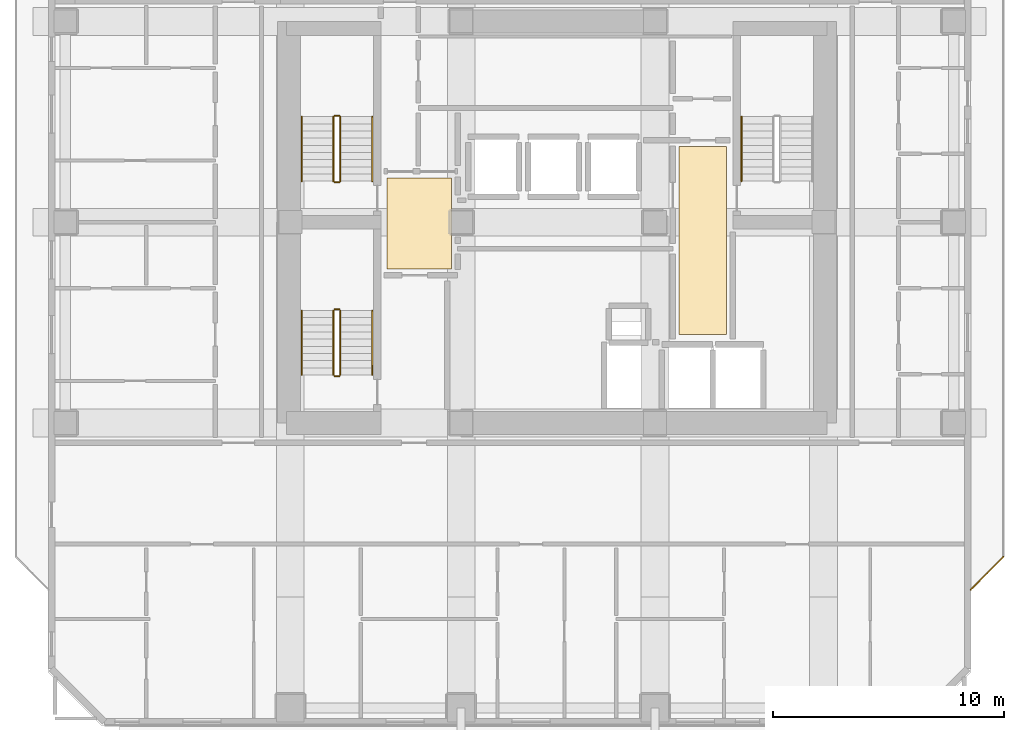
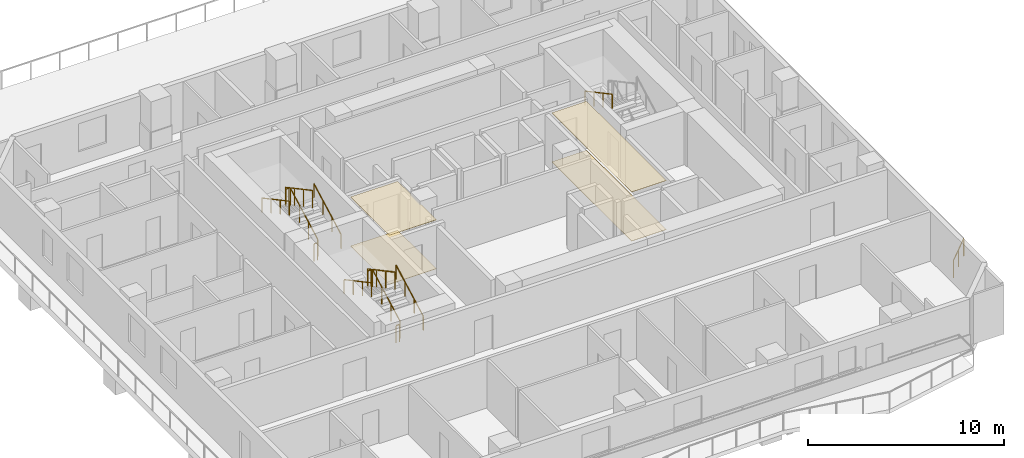
# One storey, part 9 of 11: 14 railings, 4 coverings.
"""IFC4 building model written with IfcOpenShell, lengths in metres."""

from ifc_helpers import new_model, si_unit, direction, frame, origin, origin_2d, place, context, subcontext, project, spatial, polyline, rectangle, outline, extrude, material, layer, layer_set, type_object, element, save


model = new_model("IFC4")

# Units and contexts
model_context = context("Model", 3, precision=1e-05, world=origin(), true_north=direction((0.0, 1.0)))
body_context = subcontext(model_context, "Body", "Model", "MODEL_VIEW")
ifc_project = project(units=[si_unit("LENGTHUNIT", "METRE"), si_unit("AREAUNIT", "SQUARE_METRE"), si_unit("VOLUMEUNIT", "CUBIC_METRE"), si_unit("PLANEANGLEUNIT", "RADIAN"), si_unit("MASSUNIT", "GRAM", prefix="KILO")], contexts=[model_context])

# Site, building, storey
site_placement = place(None, origin())
site = spatial("IfcSite", under=ifc_project, at=site_placement, CompositionType="ELEMENT")
building_placement = place(site_placement, origin())
building = spatial("IfcBuilding", under=site, at=building_placement, Name="Solanera Arch Residences", CompositionType="ELEMENT")
storey_placement = place(building_placement, frame((0.0, 0.0, 106.080078125)))
storey = spatial("IfcBuildingStorey", under=building, at=storey_placement, Name="L30", CompositionType="ELEMENT", Elevation=106.080078125)

# Railing
ifc_material_1 = material(Name="Steel S355 (ASTM A992 / A572 Grade 50)", Category="steel")
railing_type_1 = type_object("IfcRailingType", Name="Balustrade Railing BL-1100", PredefinedType="BALUSTRADE", material=ifc_material_1)
railing_1_placement = place(storey_placement, frame((42.8798828125, 14.780029296875, 0.0)))
element("IfcRailing", 1, at=railing_1_placement, inside=storey, type_object=railing_type_1, Name="L30 Sky Terrace Guardrail 1", PredefinedType="BALUSTRADE", context=body_context, shape_type="SweptSolid", body=[
    extrude(rectangle(XDim=0.048095703125, YDim=0.048095703125, at=origin_2d()), frame((0.0, 0.0, 1.09619140625), z_axis=(0.707167563133, 0.707045994015, 0.0), x_axis=(-0.707045994015, 0.707167563133, 0.0)), (0.0, 0.0, 1.0), 2.00830078125),
    extrude(rectangle(XDim=0.0419921875, YDim=0.0419921875, at=origin_2d()), origin(), (0.0, 0.0, 1.0), 1.072021484375),
    extrude(rectangle(XDim=0.0419921875, YDim=0.0419921875, at=origin_2d()), frame((0.7099609375, 0.7099609375, 0.0)), (0.0, 0.0, 1.0), 1.072021484375),
    extrude(rectangle(XDim=0.0419921875, YDim=0.0419921875, at=origin_2d()), frame((1.420166015625, 1.419921875, 0.0)), (0.0, 0.0, 1.0), 1.072021484375),
])

# Coverings
ifc_material_2 = material(Name="Porcelain Acoustic Floor Tile", Category="ceramic")
ifc_layer_1 = layer(ifc_material_2, 0.02001953125)
ifc_layer_set_1 = layer_set([ifc_layer_1], Name="Porcelain Acoustic Floor Tile")
covering_type_1 = type_object("IfcCoveringType", Name="Porcelain Acoustic Floor Finish FLR-20", PredefinedType="FLOORING", material=ifc_layer_set_1)
covering_1_placement = place(storey_placement, origin())
element("IfcCovering", 2, at=covering_1_placement, inside=storey, type_object=covering_type_1, Name="L30-FFL-W Porcelain Floor Finish", PredefinedType="FLOORING", context=body_context, shape_type="SweptSolid", body=[
    extrude(outline(polyline([(20.375, 28.675048828125), (17.594970703125, 28.675048828125), (17.594970703125, 32.625), (20.375, 32.625), (20.375, 28.675048828125)])), origin(), (0.0, 0.0, 1.0), 0.02001953125),
])
covering_2_placement = place(storey_placement, origin())
element("IfcCovering", 3, at=covering_2_placement, inside=storey, type_object=covering_type_1, Name="L30-FFL-E Porcelain Floor Finish", PredefinedType="FLOORING", context=body_context, shape_type="SweptSolid", body=[
    extrude(outline(polyline([(32.304931640625, 25.824951171875), (30.25, 25.824951171875), (30.25, 33.97509765625), (32.304931640625, 33.97509765625), (32.304931640625, 25.824951171875)])), origin(), (0.0, 0.0, 1.0), 0.02001953125),
])

# Railings
ifc_material_3 = material(Name="Steel S355 (ASTM A992 / A572 Grade 50)", Category="steel")
railing_type_2 = type_object("IfcRailingType", Name="Stair Guardrail GR-1100", PredefinedType="GUARDRAIL", material=ifc_material_3)
railing_2_placement = place(storey_placement, frame((15.570068359375, 32.47998046875, 0.15087890625)))
element("IfcRailing", 4, at=railing_2_placement, inside=storey, type_object=railing_type_2, Name="L30 ST-T1 stair guard 1", PredefinedType="GUARDRAIL", context=body_context, shape_type="SweptSolid", body=[
    extrude(rectangle(XDim=0.048095703125, YDim=0.048095703125, at=origin_2d()), frame((0.0, 0.0, 1.076171875), z_axis=(0.0, 0.881548766853, 0.472092969298), x_axis=(-1.0, 0.0, 0.0)), (0.0, 0.0, 1.0), 3.1650390625),
    extrude(rectangle(XDim=0.0419921875, YDim=0.0419921875, at=origin_2d()), origin(), (0.0, 0.0, 1.0), 1.052001953125),
    extrude(rectangle(XDim=0.0419921875, YDim=0.0419921875, at=origin_2d()), frame((0.0, 0.929931640625, 0.498046875)), (0.0, 0.0, 1.0), 1.052001953125),
    extrude(rectangle(XDim=0.0419921875, YDim=0.0419921875, at=origin_2d()), frame((0.0, 1.860107421875, 0.99609375)), (0.0, 0.0, 1.0), 1.052001953125),
    extrude(rectangle(XDim=0.0419921875, YDim=0.0419921875, at=origin_2d()), frame((0.0, 2.7900390625, 1.494140625)), (0.0, 0.0, 1.0), 1.052001953125),
])
railing_3_placement = place(storey_placement, frame((15.52001953125, 35.320068359375, 1.64501953125)))
element("IfcRailing", 5, at=railing_3_placement, inside=storey, type_object=railing_type_2, Name="L30 ST-T1 stair guard 2", PredefinedType="GUARDRAIL", context=body_context, shape_type="SweptSolid", body=[
    extrude(rectangle(XDim=0.048095703125, YDim=0.048095703125, at=origin_2d()), frame((0.0, 0.0, 1.076171875), z_axis=(-1.0, 0.0, 0.0), x_axis=(0.0, -1.0, 0.0)), (0.0, 0.0, 1.0), 0.199951171875),
    extrude(rectangle(XDim=0.0419921875, YDim=0.0419921875, at=origin_2d()), origin(), (0.0, 0.0, 1.0), 1.052001953125),
    extrude(rectangle(XDim=0.0419921875, YDim=0.0419921875, at=origin_2d()), frame((-0.199951171875, 0.0, 0.0)), (0.0, 0.0, 1.0), 1.052001953125),
])
railing_4_placement = place(storey_placement, frame((15.27001953125, 35.27001953125, 1.81103515625)))
element("IfcRailing", 6, at=railing_4_placement, inside=storey, type_object=railing_type_2, Name="L30 ST-T1 stair guard 3", PredefinedType="GUARDRAIL", context=body_context, shape_type="SweptSolid", body=[
    extrude(rectangle(XDim=0.048095703125, YDim=0.048095703125, at=origin_2d()), frame((0.0, 0.0, 1.076171875), z_axis=(0.0, -0.881580869306, 0.472033018838), x_axis=(1.0, 0.0, 0.0)), (0.0, 0.0, 1.0), 3.164794921875),
    extrude(rectangle(XDim=0.0419921875, YDim=0.0419921875, at=origin_2d()), origin(), (0.0, 0.0, 1.0), 1.052001953125),
    extrude(rectangle(XDim=0.0419921875, YDim=0.0419921875, at=origin_2d()), frame((0.0, -0.929931640625, 0.498046875)), (0.0, 0.0, 1.0), 1.052001953125),
    extrude(rectangle(XDim=0.0419921875, YDim=0.0419921875, at=origin_2d()), frame((0.0, -1.860107421875, 0.995849609375)), (0.0, 0.0, 1.0), 1.052001953125),
    extrude(rectangle(XDim=0.0419921875, YDim=0.0419921875, at=origin_2d()), frame((0.0, -2.7900390625, 1.493896484375)), (0.0, 0.0, 1.0), 1.052001953125),
])
railing_5_placement = place(storey_placement, frame((15.52001953125, 32.429931640625, -0.01513671875)))
element("IfcRailing", 7, at=railing_5_placement, inside=storey, type_object=railing_type_2, Name="L30 ST-T1 stair guard 4", PredefinedType="GUARDRAIL", context=body_context, shape_type="SweptSolid", body=[
    extrude(rectangle(XDim=0.048095703125, YDim=0.048095703125, at=origin_2d()), frame((0.0, 0.0, 1.076171875), z_axis=(-1.0, 0.0, 0.0), x_axis=(0.0, -1.0, 0.0)), (0.0, 0.0, 1.0), 0.199951171875),
    extrude(rectangle(XDim=0.0419921875, YDim=0.0419921875, at=origin_2d()), origin(), (0.0, 0.0, 1.0), 1.052001953125),
    extrude(rectangle(XDim=0.0419921875, YDim=0.0419921875, at=origin_2d()), frame((-0.199951171875, 0.0, 0.0)), (0.0, 0.0, 1.0), 1.052001953125),
])
railing_6_placement = place(storey_placement, frame((15.570068359375, 24.080078125, 0.15087890625)))
element("IfcRailing", 8, at=railing_6_placement, inside=storey, type_object=railing_type_2, Name="L30 ST-T3 stair guard 1", PredefinedType="GUARDRAIL", context=body_context, shape_type="SweptSolid", body=[
    extrude(rectangle(XDim=0.048095703125, YDim=0.048095703125, at=origin_2d()), frame((0.0, 0.0, 1.076171875), z_axis=(0.0, 0.881548766853, 0.472092969298), x_axis=(-1.0, 0.0, 0.0)), (0.0, 0.0, 1.0), 3.1650390625),
    extrude(rectangle(XDim=0.0419921875, YDim=0.0419921875, at=origin_2d()), origin(), (0.0, 0.0, 1.0), 1.052001953125),
    extrude(rectangle(XDim=0.0419921875, YDim=0.0419921875, at=origin_2d()), frame((0.0, 0.929931640625, 0.498046875)), (0.0, 0.0, 1.0), 1.052001953125),
    extrude(rectangle(XDim=0.0419921875, YDim=0.0419921875, at=origin_2d()), frame((0.0, 1.860107421875, 0.99609375)), (0.0, 0.0, 1.0), 1.052001953125),
    extrude(rectangle(XDim=0.0419921875, YDim=0.0419921875, at=origin_2d()), frame((0.0, 2.7900390625, 1.494140625)), (0.0, 0.0, 1.0), 1.052001953125),
])
railing_7_placement = place(storey_placement, frame((15.52001953125, 26.919921875, 1.64501953125)))
element("IfcRailing", 9, at=railing_7_placement, inside=storey, type_object=railing_type_2, Name="L30 ST-T3 stair guard 2", PredefinedType="GUARDRAIL", context=body_context, shape_type="SweptSolid", body=[
    extrude(rectangle(XDim=0.048095703125, YDim=0.048095703125, at=origin_2d()), frame((0.0, 0.0, 1.076171875), z_axis=(-1.0, 0.0, 0.0), x_axis=(0.0, -1.0, 0.0)), (0.0, 0.0, 1.0), 0.199951171875),
    extrude(rectangle(XDim=0.0419921875, YDim=0.0419921875, at=origin_2d()), origin(), (0.0, 0.0, 1.0), 1.052001953125),
    extrude(rectangle(XDim=0.0419921875, YDim=0.0419921875, at=origin_2d()), frame((-0.199951171875, 0.0, 0.0)), (0.0, 0.0, 1.0), 1.052001953125),
])
railing_8_placement = place(storey_placement, frame((15.27001953125, 26.8701171875, 1.81103515625)))
element("IfcRailing", 10, at=railing_8_placement, inside=storey, type_object=railing_type_2, Name="L30 ST-T3 stair guard 3", PredefinedType="GUARDRAIL", context=body_context, shape_type="SweptSolid", body=[
    extrude(rectangle(XDim=0.048095703125, YDim=0.048095703125, at=origin_2d()), frame((0.0, 0.0, 1.076171875), z_axis=(0.0, -0.881580869306, 0.472033018838), x_axis=(1.0, 0.0, 0.0)), (0.0, 0.0, 1.0), 3.164794921875),
    extrude(rectangle(XDim=0.0419921875, YDim=0.0419921875, at=origin_2d()), origin(), (0.0, 0.0, 1.0), 1.052001953125),
    extrude(rectangle(XDim=0.0419921875, YDim=0.0419921875, at=origin_2d()), frame((0.0, -0.929931640625, 0.498046875)), (0.0, 0.0, 1.0), 1.052001953125),
    extrude(rectangle(XDim=0.0419921875, YDim=0.0419921875, at=origin_2d()), frame((0.0, -1.860107421875, 0.995849609375)), (0.0, 0.0, 1.0), 1.052001953125),
    extrude(rectangle(XDim=0.0419921875, YDim=0.0419921875, at=origin_2d()), frame((0.0, -2.7900390625, 1.493896484375)), (0.0, 0.0, 1.0), 1.052001953125),
])
railing_9_placement = place(storey_placement, frame((15.52001953125, 24.030029296875, -0.01513671875)))
element("IfcRailing", 11, at=railing_9_placement, inside=storey, type_object=railing_type_2, Name="L30 ST-T3 stair guard 4", PredefinedType="GUARDRAIL", context=body_context, shape_type="SweptSolid", body=[
    extrude(rectangle(XDim=0.048095703125, YDim=0.048095703125, at=origin_2d()), frame((0.0, 0.0, 1.076171875), z_axis=(-1.0, 0.0, 0.0), x_axis=(0.0, -1.0, 0.0)), (0.0, 0.0, 1.0), 0.199951171875),
    extrude(rectangle(XDim=0.0419921875, YDim=0.0419921875, at=origin_2d()), origin(), (0.0, 0.0, 1.0), 1.052001953125),
    extrude(rectangle(XDim=0.0419921875, YDim=0.0419921875, at=origin_2d()), frame((-0.199951171875, 0.0, 0.0)), (0.0, 0.0, 1.0), 1.052001953125),
])
ifc_material_4 = material(Name="Steel S355 (ASTM A992 / A572 Grade 50)", Category="steel")
railing_type_3 = type_object("IfcRailingType", Name="Stair Wall Handrail HR-920", PredefinedType="HANDRAIL", material=ifc_material_4)
railing_10_placement = place(storey_placement, frame((16.949951171875, 32.47998046875, 0.166015625)))
element("IfcRailing", 12, at=railing_10_placement, inside=storey, type_object=railing_type_3, Name="L30 ST-T1 stair handrail 1", PredefinedType="HANDRAIL", context=body_context, shape_type="SweptSolid", body=[
    extrude(rectangle(XDim=0.048095703125, YDim=0.048095703125, at=origin_2d()), frame((0.0, 0.0, 0.8759765625), z_axis=(0.0, 0.881580869306, 0.472033018838), x_axis=(-1.0, 0.0, 0.0)), (0.0, 0.0, 1.0), 3.164794921875),
    extrude(rectangle(XDim=0.0419921875, YDim=0.0419921875, at=origin_2d()), origin(), (0.0, 0.0, 1.0), 0.851806640625),
    extrude(rectangle(XDim=0.0419921875, YDim=0.0419921875, at=origin_2d()), frame((0.0, 0.929931640625, 0.498046875)), (0.0, 0.0, 1.0), 0.851806640625),
    extrude(rectangle(XDim=0.0419921875, YDim=0.0419921875, at=origin_2d()), frame((0.0, 1.860107421875, 0.995849609375)), (0.0, 0.0, 1.0), 0.851806640625),
    extrude(rectangle(XDim=0.0419921875, YDim=0.0419921875, at=origin_2d()), frame((0.0, 2.7900390625, 1.493896484375)), (0.0, 0.0, 1.0), 0.851806640625),
])
for number, where, name in (
    (13, (13.889892578125, 35.27001953125, 1.825927734375), "L30 ST-T1 stair handrail 2"),
    (14, (32.949951171875, 35.27001953125, 1.825927734375), "L30 ST-T2 stair handrail 2"),
):
    element("IfcRailing", number, at=place(storey_placement, frame(where)), inside=storey, type_object=railing_type_3, Name=name, PredefinedType="HANDRAIL", context=body_context, shape_type="SweptSolid", body=[
        extrude(rectangle(XDim=0.048095703125, YDim=0.048095703125, at=origin_2d()), frame((0.0, 0.0, 0.8759765625), z_axis=(0.0, -0.881580869306, 0.472033018838), x_axis=(1.0, 0.0, 0.0)), (0.0, 0.0, 1.0), 3.164794921875),
        extrude(rectangle(XDim=0.0419921875, YDim=0.0419921875, at=origin_2d()), origin(), (0.0, 0.0, 1.0), 0.851806640625),
        extrude(rectangle(XDim=0.0419921875, YDim=0.0419921875, at=origin_2d()), frame((0.0, -0.929931640625, 0.498046875)), (0.0, 0.0, 1.0), 0.851806640625),
        extrude(rectangle(XDim=0.0419921875, YDim=0.0419921875, at=origin_2d()), frame((0.0, -1.860107421875, 0.995849609375)), (0.0, 0.0, 1.0), 0.851806640625),
        extrude(rectangle(XDim=0.0419921875, YDim=0.0419921875, at=origin_2d()), frame((0.0, -2.7900390625, 1.493896484375)), (0.0, 0.0, 1.0), 0.851806640625),
    ])
railing_11_placement = place(storey_placement, frame((16.949951171875, 24.080078125, 0.166015625)))
element("IfcRailing", 15, at=railing_11_placement, inside=storey, type_object=railing_type_3, Name="L30 ST-T3 stair handrail 1", PredefinedType="HANDRAIL", context=body_context, shape_type="SweptSolid", body=[
    extrude(rectangle(XDim=0.048095703125, YDim=0.048095703125, at=origin_2d()), frame((0.0, 0.0, 0.8759765625), z_axis=(0.0, 0.881580869306, 0.472033018838), x_axis=(-1.0, 0.0, 0.0)), (0.0, 0.0, 1.0), 3.164794921875),
    extrude(rectangle(XDim=0.0419921875, YDim=0.0419921875, at=origin_2d()), origin(), (0.0, 0.0, 1.0), 0.851806640625),
    extrude(rectangle(XDim=0.0419921875, YDim=0.0419921875, at=origin_2d()), frame((0.0, 0.929931640625, 0.498046875)), (0.0, 0.0, 1.0), 0.851806640625),
    extrude(rectangle(XDim=0.0419921875, YDim=0.0419921875, at=origin_2d()), frame((0.0, 1.860107421875, 0.995849609375)), (0.0, 0.0, 1.0), 0.851806640625),
    extrude(rectangle(XDim=0.0419921875, YDim=0.0419921875, at=origin_2d()), frame((0.0, 2.7900390625, 1.493896484375)), (0.0, 0.0, 1.0), 0.851806640625),
])
railing_12_placement = place(storey_placement, frame((13.889892578125, 26.8701171875, 1.825927734375)))
element("IfcRailing", 16, at=railing_12_placement, inside=storey, type_object=railing_type_3, Name="L30 ST-T3 stair handrail 2", PredefinedType="HANDRAIL", context=body_context, shape_type="SweptSolid", body=[
    extrude(rectangle(XDim=0.048095703125, YDim=0.048095703125, at=origin_2d()), frame((0.0, 0.0, 0.8759765625), z_axis=(0.0, -0.881580869306, 0.472033018838), x_axis=(1.0, 0.0, 0.0)), (0.0, 0.0, 1.0), 3.164794921875),
    extrude(rectangle(XDim=0.0419921875, YDim=0.0419921875, at=origin_2d()), origin(), (0.0, 0.0, 1.0), 0.851806640625),
    extrude(rectangle(XDim=0.0419921875, YDim=0.0419921875, at=origin_2d()), frame((0.0, -0.929931640625, 0.498046875)), (0.0, 0.0, 1.0), 0.851806640625),
    extrude(rectangle(XDim=0.0419921875, YDim=0.0419921875, at=origin_2d()), frame((0.0, -1.860107421875, 0.995849609375)), (0.0, 0.0, 1.0), 0.851806640625),
    extrude(rectangle(XDim=0.0419921875, YDim=0.0419921875, at=origin_2d()), frame((0.0, -2.7900390625, 1.493896484375)), (0.0, 0.0, 1.0), 0.851806640625),
])

# Coverings
ifc_material_5 = material(Name="Mineral Fibre Acoustic Ceiling Board", Category="gypsum")
ifc_layer_2 = layer(ifc_material_5, 0.02490234375)
ifc_layer_set_2 = layer_set([ifc_layer_2], Name="Mineral Fibre Acoustic Ceiling Board")
covering_type_2 = type_object("IfcCoveringType", Name="Suspended Acoustic Ceiling Board CLG-25", PredefinedType="CEILING", material=ifc_layer_set_2)
covering_3_placement = place(storey_placement, frame((0.0, 0.0, 3.054931640625)))
element("IfcCovering", 17, at=covering_3_placement, inside=storey, type_object=covering_type_2, Name="L30-FFL-W Acoustic Ceiling", PredefinedType="CEILING", context=body_context, shape_type="SweptSolid", body=[
    extrude(outline(polyline([(20.375, 28.675048828125), (17.594970703125, 28.675048828125), (17.594970703125, 32.625), (20.375, 32.625), (20.375, 28.675048828125)])), origin(), (0.0, 0.0, 1.0), 0.02490234375),
])
covering_4_placement = place(storey_placement, frame((0.0, 0.0, 3.054931640625)))
element("IfcCovering", 18, at=covering_4_placement, inside=storey, type_object=covering_type_2, Name="L30-FFL-E Acoustic Ceiling", PredefinedType="CEILING", context=body_context, shape_type="SweptSolid", body=[
    extrude(outline(polyline([(32.304931640625, 25.824951171875), (30.25, 25.824951171875), (30.25, 33.97509765625), (32.304931640625, 33.97509765625), (32.304931640625, 25.824951171875)])), origin(), (0.0, 0.0, 1.0), 0.02490234375),
])

save(model, "model.ifc")
